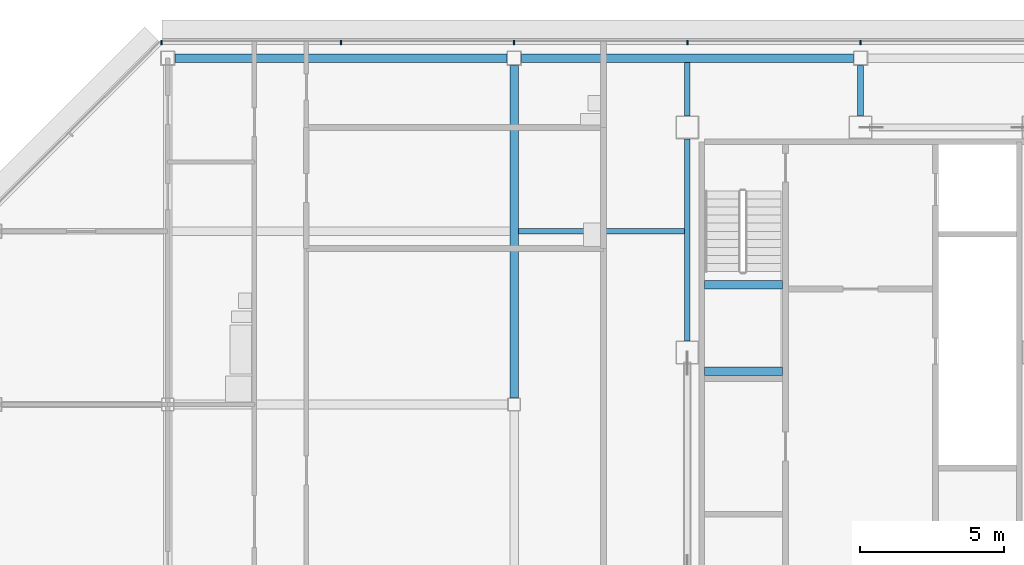
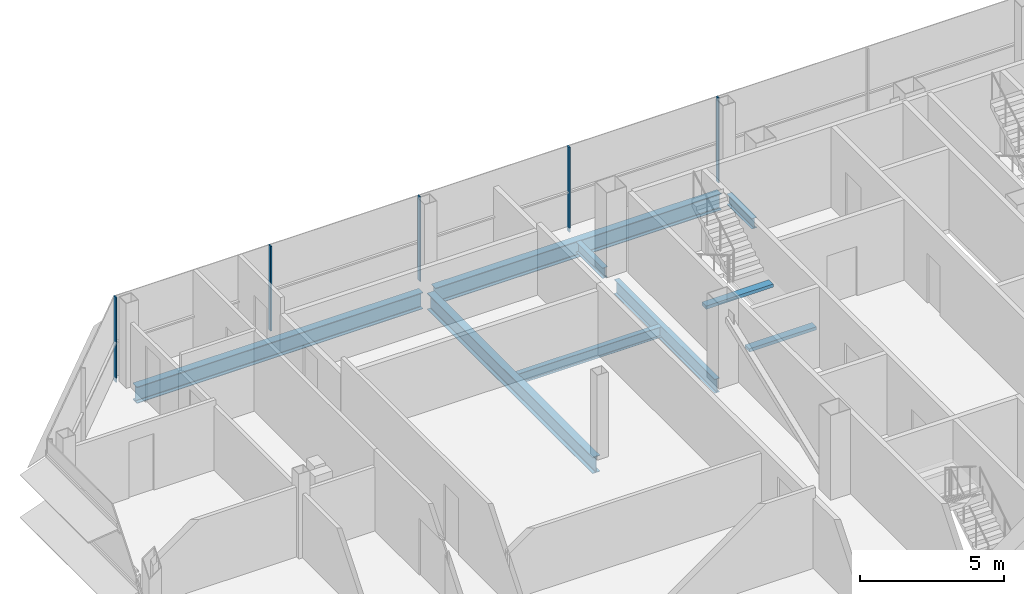
# One storey, part 14 of 27: 9 beams, 5 members, 1 element without a shape of its own.
"""IFC4 building model written with IfcOpenShell, lengths in metres."""

import ifcopenshell
import ifcopenshell.guid

model = None  # the IFC model being written
_history = None  # IfcOwnerHistory: only IFC2X3 demands one
_inside = {}  # id of a spatial element -> (the spatial element, [elements in it])
_under = {}  # id of a project, library or spatial element -> (it, [spatial elements below it])
_declared = {}  # id of a project -> (the project, [libraries it declares])
_typed = {}  # id of a type object -> (the type object, [elements of that type])
_made_of = {}  # id of a material, layer set ... -> (it, [elements and type objects made of it])


def new_model(schema):
    """Start an empty IFC model of exactly this schema.

    Asked for "IFC4X3", IfcOpenShell would pick the latest addendum, in which some entities
    have other attributes; the version numbers below select the first issue.
    IFC2X3 requires an IfcOwnerHistory on every rooted entity: one is made here for all.
    """
    global model, _history
    if schema == "IFC4X3":
        model = ifcopenshell.file(schema_version=(4, 3, 0, 0))
    else:
        model = ifcopenshell.file(schema=schema)
    _inside.clear()
    _under.clear()
    _declared.clear()
    _typed.clear()
    _made_of.clear()
    _history = None
    if model.schema == "IFC2X3":
        org = make("IfcOrganization", Name="unknown")
        user = make(
            "IfcPersonAndOrganization",
            ThePerson=make("IfcPerson", FamilyName="unknown"),
            TheOrganization=org,
        )
        app = make(
            "IfcApplication",
            ApplicationDeveloper=org,
            Version="unknown",
            ApplicationFullName="unknown",
            ApplicationIdentifier="unknown",
        )
        _history = make(
            "IfcOwnerHistory",
            OwningUser=user,
            OwningApplication=app,
            ChangeAction="ADDED",
            CreationDate=0,
        )
    return model


def make(cls, **values):
    """One entity of the class cls with the attributes given. An attribute that is None is left unset."""
    return model.create_entity(
        cls, **{name: value for name, value in values.items() if value is not None}
    )


def rooted(cls, **values):
    """An entity with a GlobalId (a new one), such as an element, a storey or a relation."""
    return make(cls, GlobalId=ifcopenshell.guid.new(), OwnerHistory=_history, **values)


def si_unit(unit_type, name, prefix=None):
    """IfcSIUnit, for example si_unit("LENGTHUNIT", "METRE", prefix="MILLI")."""
    return make("IfcSIUnit", UnitType=unit_type, Prefix=prefix, Name=name)


def assignment(units):
    """IfcUnitAssignment: the units of a project."""
    return None if units is None else make("IfcUnitAssignment", Units=units)


def point(xyz):
    """IfcCartesianPoint."""
    return None if xyz is None else make("IfcCartesianPoint", Coordinates=xyz)


def direction(xyz):
    """IfcDirection."""
    return None if xyz is None else make("IfcDirection", DirectionRatios=xyz)


def frame(location, z_axis=None, x_axis=None):
    """IfcAxis2Placement3D, a coordinate frame: its origin and axes. An axis left out is left unset."""
    return make(
        "IfcAxis2Placement3D",
        Location=point(location),
        Axis=direction(z_axis),
        RefDirection=direction(x_axis),
    )


def frame_2d(location, x_axis=None):
    """IfcAxis2Placement2D, a coordinate frame in the plane: its origin and x axis."""
    return make(
        "IfcAxis2Placement2D", Location=point(location), RefDirection=direction(x_axis)
    )


def origin():
    """The frame at (0, 0, 0) with its axes left unset."""
    return frame((0.0, 0.0, 0.0))


def origin_2d():
    """The frame at (0, 0) in the plane with its x axis left unset."""
    return frame_2d((0.0, 0.0))


def place(relative_to, where):
    """IfcLocalPlacement: puts the frame where relative to a parent placement (None: the world)."""
    return make(
        "IfcLocalPlacement", PlacementRelTo=relative_to, RelativePlacement=where
    )


def context(
    kind, dimensions, precision=None, world=None, true_north=None, identifier=None
):
    """IfcGeometricRepresentationContext, for example the 3D "Model" context."""
    return make(
        "IfcGeometricRepresentationContext",
        ContextIdentifier=identifier,
        ContextType=kind,
        CoordinateSpaceDimension=dimensions,
        Precision=precision,
        WorldCoordinateSystem=world,
        TrueNorth=true_north,
    )


def subcontext(parent, identifier, kind, view, scale=None):
    """IfcGeometricRepresentationSubContext, for example "Body" below "Model"."""
    return make(
        "IfcGeometricRepresentationSubContext",
        ContextIdentifier=identifier,
        ContextType=kind,
        ParentContext=parent,
        TargetScale=scale,
        TargetView=view,
    )


def project(units=None, contexts=None):
    """IfcProject with its units and contexts."""
    return rooted(
        "IfcProject",
        Name="project",
        RepresentationContexts=contexts,
        UnitsInContext=assignment(units),
    )


def spatial(cls, under=None, at=None, **own):
    """A site, building, storey or space (cls), placed at a placement, below another one or the project."""
    s = rooted(cls, ObjectPlacement=at, **own)
    if under is not None:
        _under.setdefault(under.id(), (under, []))[1].append(s)
    return s


def profile(cls, at=None, kind="AREA", **sizes):
    """A parametric profile (cls). Its sizes go by their IFC names, for example OverallWidth=200.0."""
    return make(cls, ProfileType=kind, Position=at, **sizes)


def rectangle(**sizes):
    """IfcRectangleProfileDef."""
    return profile("IfcRectangleProfileDef", **sizes)


def i_section(**sizes):
    """IfcIShapeProfileDef."""
    return profile("IfcIShapeProfileDef", **sizes)


def extrude(swept, where, along, depth):
    """IfcExtrudedAreaSolid: the profile swept, set in the frame where, extruded along a direction by depth."""
    return make(
        "IfcExtrudedAreaSolid",
        SweptArea=swept,
        Position=where,
        ExtrudedDirection=direction(along),
        Depth=depth,
    )


def shape(context_of_items, identifier, shape_type, items):
    """IfcShapeRepresentation: the items that make up one representation, for example the "Body"."""
    return make(
        "IfcShapeRepresentation",
        ContextOfItems=context_of_items,
        RepresentationIdentifier=identifier,
        RepresentationType=shape_type,
        Items=items,
    )


def material(Name=None, Category=None):
    """IfcMaterial."""
    return make("IfcMaterial", Name=Name, Category=Category)


def material_profile(
    of_material, cross_section, Name=None, Category=None, Priority=None
):
    """IfcMaterialProfile: a cross section and its material."""
    return make(
        "IfcMaterialProfile",
        Name=Name,
        Material=of_material,
        Profile=cross_section,
        Priority=Priority,
        Category=Category,
    )


def profile_set(profiles, Name=None, composite=None):
    """IfcMaterialProfileSet."""
    return make(
        "IfcMaterialProfileSet",
        Name=Name,
        MaterialProfiles=profiles,
        CompositeProfile=composite,
    )


def made_of(thing, what):
    """Note that an element or type object is made of a material, layer set ...; save() writes the relation."""
    if what is not None:
        _made_of.setdefault(what.id(), (what, []))[1].append(thing)
    return thing


def type_object(cls, material=None, **own):
    """A type object (cls), such as IfcWallType, which elements share."""
    return made_of(rooted(cls, **own), material)


def element(
    cls,
    number,
    at=None,
    inside=None,
    cuts=None,
    type_object=None,
    material=None,
    context=None,
    identifier="Body",
    shape_type=None,
    held_by="IfcProductDefinitionShape",
    body=None,
    shapes=None,
    **own,
):
    """One element of the class cls, such as IfcWall. Its Tag is "e" and its number.

    at: its placement. inside: the storey or other place that contains it. cuts: it is an
    opening in that element (IfcRelVoidsElement). A single representation is given by context,
    identifier, shape_type and body (its items); several are given by shapes. held_by: the class
    of the entity that holds the representations. save() writes the other relations.
    """
    e = rooted(cls, Tag="e%d" % number, ObjectPlacement=at, **own)
    if body is not None:
        shapes = [shape(context, identifier, shape_type, body)]
    if shapes is not None:
        e.Representation = make(held_by, Representations=shapes)
    if inside is not None:
        _inside.setdefault(inside.id(), (inside, []))[1].append(e)
    if cuts is not None:
        rooted(
            "IfcRelVoidsElement", RelatingBuildingElement=cuts, RelatedOpeningElement=e
        )
    if type_object is not None:
        _typed.setdefault(type_object.id(), (type_object, []))[1].append(e)
    return made_of(e, material)


def aggregate(whole, parts):
    """IfcRelAggregates: a whole, such as a stair, and the parts it consists of."""
    return rooted("IfcRelAggregates", RelatingObject=whole, RelatedObjects=parts)


def save(model, path):
    """Write the relations noted so far, then the file.

    IfcRelAggregates (storeys below a building ...), IfcRelContainedInSpatialStructure (elements
    in a storey), IfcRelDefinesByType, IfcRelAssociatesMaterial and IfcRelDeclares: one each for
    every whole, place, type object, material and project.
    """
    for whole, parts in _under.values():
        aggregate(whole, parts)
    for where, things in _inside.values():
        rooted(
            "IfcRelContainedInSpatialStructure",
            RelatedElements=things,
            RelatingStructure=where,
        )
    for kind, things in _typed.values():
        rooted("IfcRelDefinesByType", RelatedObjects=things, RelatingType=kind)
    for what, things in _made_of.values():
        rooted("IfcRelAssociatesMaterial", RelatedObjects=things, RelatingMaterial=what)
    for by, libraries in _declared.values():
        rooted("IfcRelDeclares", RelatingContext=by, RelatedDefinitions=libraries)
    model.write(path)


model = new_model("IFC4")

# Units and contexts
model_context = context("Model", 3, precision=1e-05, world=origin(), true_north=direction((0.0, 1.0)))
body_context = subcontext(model_context, "Body", "Model", "MODEL_VIEW")
ifc_project = project(units=[si_unit("LENGTHUNIT", "METRE"), si_unit("AREAUNIT", "SQUARE_METRE"), si_unit("VOLUMEUNIT", "CUBIC_METRE"), si_unit("PLANEANGLEUNIT", "RADIAN"), si_unit("MASSUNIT", "GRAM", prefix="KILO")], contexts=[model_context])

# Site, building, storey
site_placement = place(None, origin())
site = spatial("IfcSite", under=ifc_project, at=site_placement, CompositionType="ELEMENT")
building_placement = place(site_placement, origin())
building = spatial("IfcBuilding", under=site, at=building_placement, Name="Sorahane Residences", CompositionType="ELEMENT")
storey_placement = place(building_placement, frame((0.0, 0.0, 312.39990234375)))
storey = spatial("IfcBuildingStorey", under=building, at=storey_placement, Name="L74", CompositionType="ELEMENT", Elevation=312.39990234375)

# Curtain wall, members
ifc_material_1 = material(Name="Dark low-e glass and black anodised aluminium", Category="aluminium")
curtain_wall_type = type_object("IfcCurtainWallType", Name="Curtain wall CW-1 Typical unitised wall", PredefinedType="NOTDEFINED", material=ifc_material_1)
curtain_wall_placement = place(storey_placement, origin())
curtain_wall = element("IfcCurtainWall", 1, at=curtain_wall_placement, inside=storey, type_object=curtain_wall_type, Name="CW-1 curtain wall L74 N1", PredefinedType="NOTDEFINED")
ifc_material_2 = material(Name="Black anodised aluminium", Category="aluminium")
ifc_material_profile_1 = material_profile(ifc_material_2, rectangle(XDim=0.159912109375, YDim=0.050048828125, at=origin_2d()), Name="Curtain wall mullion CW-1 black anodised aluminium 50x160")
ifc_profile_set_1 = profile_set([ifc_material_profile_1], Name="Black anodised aluminium")
member_type = type_object("IfcMemberType", Name="Curtain wall mullion CW-1 black anodised aluminium 50x160", PredefinedType="MULLION", material=ifc_profile_set_1)
member_1_placement = place(storey_placement, frame((12.0, 48.5400390625, -0.179931640625), z_axis=(0.0, 0.0, 1.0), x_axis=(0.0, 1.0, 0.0)))
member_1 = element("IfcMember", 2, at=member_1_placement, type_object=member_type, Name="CW-1 mullion L74 N1.6", PredefinedType="MULLION", context=body_context, shape_type="SweptSolid", body=[
    extrude(rectangle(XDim=0.159912109375, YDim=0.050048828125, at=origin_2d()), origin(), (0.0, 0.0, 1.0), 3.60009765625),
])
member_2_placement = place(storey_placement, frame((6.0, 48.5400390625, -0.179931640625), z_axis=(0.0, 0.0, 1.0), x_axis=(0.0, 1.0, 0.0)))
member_2 = element("IfcMember", 3, at=member_2_placement, type_object=member_type, Name="CW-1 mullion L74 N1.7", PredefinedType="MULLION", context=body_context, shape_type="SweptSolid", body=[
    extrude(rectangle(XDim=0.159912109375, YDim=0.050048828125, at=origin_2d()), origin(), (0.0, 0.0, 1.0), 3.60009765625),
])
member_3_placement = place(storey_placement, frame((0.0, 48.5400390625, -0.179931640625), z_axis=(0.0, 0.0, 1.0), x_axis=(0.0, 1.0, 0.0)))
member_3 = element("IfcMember", 4, at=member_3_placement, type_object=member_type, Name="CW-1 mullion L74 N1.8", PredefinedType="MULLION", context=body_context, shape_type="SweptSolid", body=[
    extrude(rectangle(XDim=0.159912109375, YDim=0.050048828125, at=origin_2d()), origin(), (0.0, 0.0, 1.0), 3.60009765625),
])
member_4_placement = place(storey_placement, frame((-6.0, 48.5400390625, -0.179931640625), z_axis=(0.0, 0.0, 1.0), x_axis=(0.0, 1.0, 0.0)))
member_4 = element("IfcMember", 5, at=member_4_placement, type_object=member_type, Name="CW-1 mullion L74 N1.9", PredefinedType="MULLION", context=body_context, shape_type="SweptSolid", body=[
    extrude(rectangle(XDim=0.159912109375, YDim=0.050048828125, at=origin_2d()), origin(), (0.0, 0.0, 1.0), 3.60009765625),
])
member_5_placement = place(storey_placement, frame((-12.2236328125, 48.5400390625, -0.179931640625), z_axis=(0.0, 0.0, 1.0), x_axis=(0.0, 1.0, 0.0)))
member_5 = element("IfcMember", 6, at=member_5_placement, type_object=member_type, Name="CW-1 mullion L74 N1.10", PredefinedType="MULLION", context=body_context, shape_type="SweptSolid", body=[
    extrude(rectangle(XDim=0.159912109375, YDim=0.050048828125, at=origin_2d()), origin(), (0.0, 0.0, 1.0), 3.60009765625),
])
aggregate(curtain_wall, [member_1, member_2, member_3, member_4, member_5])

# Beams
ifc_material_3 = material(Name="Concrete C40", Category="concrete")
ifc_material_profile_2 = material_profile(ifc_material_3, rectangle(XDim=0.300048828125, YDim=0.139892578125, at=origin_2d()), Name="300x140")
ifc_profile_set_2 = profile_set([ifc_material_profile_2], Name="Concrete C40")
beam_type_1 = type_object("IfcBeamType", Name="RC landing beam 300 x 140 Concrete C40", PredefinedType="BEAM", material=ifc_profile_set_2)
for number, where, z_axis, x_axis, name in (
    (7, (6.60009765625, 37.14990234375, 1.530029296875), (1.0, 0.0, 0.0), (0.0, 1.0, 0.0), "Landing beam"),
    (8, (6.60009765625, 40.14990234375, 1.530029296875), (1.0, 0.0, 0.0), (0.0, 1.0, 0.0), "Landing beam"),
):
    element("IfcBeam", number, at=place(storey_placement, frame(where, z_axis=z_axis, x_axis=x_axis)), inside=storey, type_object=beam_type_1, Name=name, PredefinedType="BEAM", context=body_context, shape_type="SweptSolid", body=[
        extrude(rectangle(XDim=0.300048828125, YDim=0.139892578125, at=origin_2d()), origin(), (0.0, 0.0, 1.0), 2.699951171875),
    ])
ifc_material_4 = material(Name="Steel Q355B", Category="steel")
ifc_material_profile_3 = material_profile(ifc_material_4, i_section(OverallWidth=0.199951171875, OverallDepth=0.449951171875, WebThickness=0.009033203125, FlangeThickness=0.013916015625, FilletRadius=0.02001953125, at=origin_2d()), Name="HN 450x200x9x14")
ifc_profile_set_3 = profile_set([ifc_material_profile_3], Name="Steel Q355B")
beam_type_2 = type_object("IfcBeamType", Name="Steel floor beam HN 450x200x9x14 Q355B", PredefinedType="BEAM", material=ifc_profile_set_3)
beam_1_placement = place(storey_placement, frame((6.0, 46.0, -0.40478515625), z_axis=(0.0, 1.0, 0.0), x_axis=(-1.0, 0.0, 0.0)))
element("IfcBeam", 9, at=beam_1_placement, inside=storey, type_object=beam_type_2, Name="Beam L74 037", PredefinedType="BEAM", context=body_context, shape_type="SweptSolid", body=[
    extrude(i_section(OverallWidth=0.199951171875, OverallDepth=0.449951171875, WebThickness=0.009033203125, FlangeThickness=0.013916015625, FilletRadius=0.02001953125, at=origin_2d()), origin(), (0.0, 0.0, 1.0), 1.85009765625),
])
beam_2_placement = place(storey_placement, frame((12.0, 46.0, -0.40478515625), z_axis=(0.0, 1.0, 0.0), x_axis=(-1.0, 0.0, 0.0)))
element("IfcBeam", 10, at=beam_2_placement, inside=storey, type_object=beam_type_2, Name="Beam L74 039", PredefinedType="BEAM", context=body_context, shape_type="SweptSolid", body=[
    extrude(i_section(OverallWidth=0.199951171875, OverallDepth=0.449951171875, WebThickness=0.009033203125, FlangeThickness=0.013916015625, FilletRadius=0.02001953125, at=origin_2d()), origin(), (0.0, 0.0, 1.0), 1.75),
])
beam_3_placement = place(storey_placement, frame((0.14990234375, 42.0, -0.40478515625), z_axis=(1.0, 0.0, 0.0), x_axis=(0.0, 1.0, 0.0)))
element("IfcBeam", 11, at=beam_3_placement, inside=storey, type_object=beam_type_2, Name="Beam L74 089", PredefinedType="BEAM", context=body_context, shape_type="SweptSolid", body=[
    extrude(i_section(OverallWidth=0.199951171875, OverallDepth=0.449951171875, WebThickness=0.009033203125, FlangeThickness=0.013916015625, FilletRadius=0.02001953125, at=origin_2d()), origin(), (0.0, 0.0, 1.0), 5.75),
])
ifc_material_5 = material(Name="Steel Q355B", Category="steel")
ifc_material_profile_4 = material_profile(ifc_material_5, i_section(OverallWidth=0.199951171875, OverallDepth=0.60009765625, WebThickness=0.010986328125, FlangeThickness=0.01708984375, FilletRadius=0.02392578125, at=origin_2d()), Name="HN 600x200x11x17")
ifc_profile_set_4 = profile_set([ifc_material_profile_4], Name="Steel Q355B")
beam_type_3 = type_object("IfcBeamType", Name="Steel floor beam HN 600x200x11x17 Q355B", PredefinedType="BEAM", material=ifc_profile_set_4)
beam_4_placement = place(storey_placement, frame((6.0, 38.199951171875, -0.47998046875), z_axis=(0.0, 1.0, 0.0), x_axis=(-1.0, 0.0, 0.0)))
element("IfcBeam", 12, at=beam_4_placement, inside=storey, type_object=beam_type_3, Name="Beam L74 036", PredefinedType="BEAM", context=body_context, shape_type="SweptSolid", body=[
    extrude(i_section(OverallWidth=0.199951171875, OverallDepth=0.60009765625, WebThickness=0.010986328125, FlangeThickness=0.01708984375, FilletRadius=0.02392578125, at=origin_2d()), origin(), (0.0, 0.0, 1.0), 7.0),
])
ifc_material_6 = material(Name="Steel Q355B", Category="steel")
ifc_material_profile_5 = material_profile(ifc_material_6, i_section(OverallWidth=0.300048828125, OverallDepth=0.699951171875, WebThickness=0.012939453125, FlangeThickness=0.02392578125, FilletRadius=0.028076171875, at=origin_2d()), Name="HN 700x300x13x24")
ifc_profile_set_5 = profile_set([ifc_material_profile_5], Name="Steel Q355B")
beam_type_4 = type_object("IfcBeamType", Name="Steel floor beam HN 700x300x13x24 Q355B", PredefinedType="BEAM", material=ifc_profile_set_5)
for number, where, z_axis, x_axis, name in (
    (13, (-11.75, 48.0, -0.52978515625), (1.0, 0.0, 0.0), (0.0, 1.0, 0.0), "Beam L74 015"),
    (14, (0.25, 48.0, -0.52978515625), (1.0, 0.0, 0.0), (0.0, 1.0, 0.0), "Beam L74 016"),
):
    element("IfcBeam", number, at=place(storey_placement, frame(where, z_axis=z_axis, x_axis=x_axis)), inside=storey, type_object=beam_type_4, Name=name, PredefinedType="BEAM", context=body_context, shape_type="SweptSolid", body=[
        extrude(i_section(OverallWidth=0.300048828125, OverallDepth=0.699951171875, WebThickness=0.012939453125, FlangeThickness=0.02392578125, FilletRadius=0.028076171875, at=origin_2d()), origin(), (0.0, 0.0, 1.0), 11.5),
    ])
beam_5_placement = place(storey_placement, frame((0.0, 36.22509765625, -0.52978515625), z_axis=(0.0, 1.0, 0.0), x_axis=(-1.0, 0.0, 0.0)))
element("IfcBeam", 15, at=beam_5_placement, inside=storey, type_object=beam_type_4, Name="Beam L74 031", PredefinedType="BEAM", context=body_context, shape_type="SweptSolid", body=[
    extrude(i_section(OverallWidth=0.300048828125, OverallDepth=0.699951171875, WebThickness=0.012939453125, FlangeThickness=0.02392578125, FilletRadius=0.028076171875, at=origin_2d()), origin(), (0.0, 0.0, 1.0), 11.52490234375),
])

save(model, "model.ifc")
